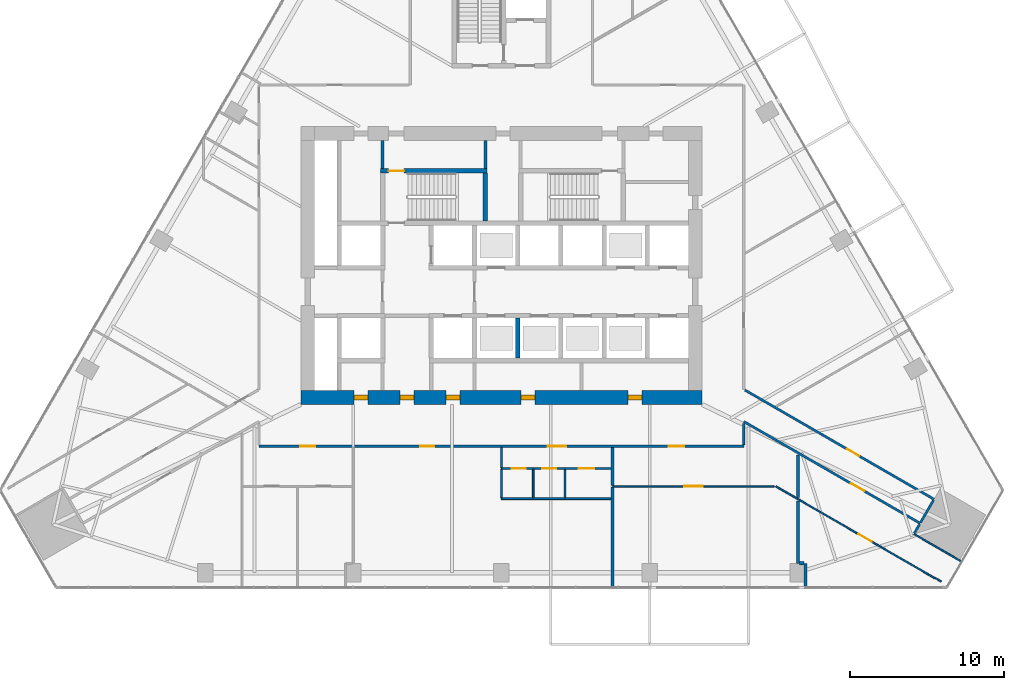
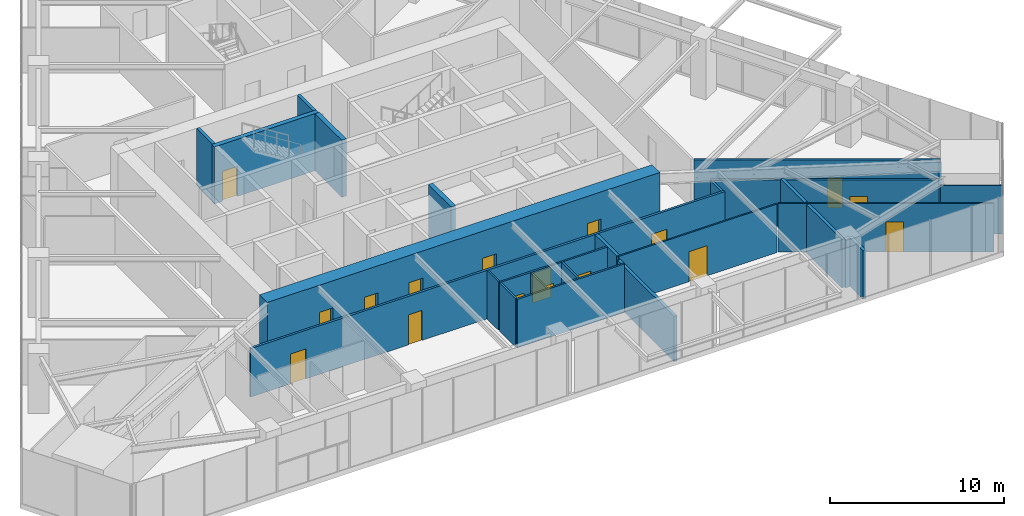
# One storey, part 24 of 29: 28 walls, 17 doors, 17 openings.
"""IFC4 building model written with IfcOpenShell, lengths in metres."""

from ifc_helpers import new_model, si_unit, direction, frame, frame_2d, origin, place, context, subcontext, project, spatial, rectangle, extrude, material, layer, layer_set, type_object, element, fill, save


model = new_model("IFC4")

# Units and contexts
model_context = context("Model", 3, precision=1e-05, world=origin(), true_north=direction((0.0, 1.0)))
body_context = subcontext(model_context, "Body", "Model", "MODEL_VIEW")
ifc_project = project(units=[si_unit("LENGTHUNIT", "METRE"), si_unit("AREAUNIT", "SQUARE_METRE"), si_unit("VOLUMEUNIT", "CUBIC_METRE"), si_unit("PLANEANGLEUNIT", "RADIAN"), si_unit("MASSUNIT", "GRAM", prefix="KILO")], contexts=[model_context])

# Site, building, storey
site_placement = place(None, origin())
site = spatial("IfcSite", under=ifc_project, at=site_placement, CompositionType="ELEMENT")
building_placement = place(site_placement, origin())
building = spatial("IfcBuilding", under=site, at=building_placement, Name="Firuza Gate Tower and Library", CompositionType="ELEMENT")
storey_placement = place(building_placement, frame((0.0, 0.0, 44.199951171875)))
storey = spatial("IfcBuildingStorey", under=building, at=storey_placement, Name="L09", CompositionType="ELEMENT", Elevation=44.199951171875)

# Walls
ifc_material_1 = material(Name="Plasterboard on steel studs", Category="steel")
ifc_layer_1 = layer(ifc_material_1, 0.199951171875)
ifc_layer_set_1 = layer_set([ifc_layer_1], Name="Core partition 200 EI 60")
wall_type_1 = type_object("IfcWallType", Name="Core partition 200 EI 60", PredefinedType="PARTITIONING", material=ifc_layer_set_1)
for number, where, z_axis, x_axis, name in (
    (1, (67.300048828125, 81.280029296875, 0.0), (0.0, 0.0, 1.0), (0.0, 1.0, 0.0), "Core partition L09 9"),
    (2, (73.9599609375, 81.280029296875, 0.0), (0.0, 0.0, 1.0), (0.0, 1.0, 0.0), "Core partition L09 13"),
):
    element("IfcWall", number, at=place(storey_placement, frame(where, z_axis=z_axis, x_axis=x_axis)), inside=storey, type_object=wall_type_1, Name=name, PredefinedType="PARTITIONING", context=body_context, shape_type="SweptSolid", body=[
        extrude(rectangle(XDim=1.820068359375, YDim=0.199951171875, at=frame_2d((0.91015625, 0.0))), origin(), (0.0, 0.0, 1.0), 4.0),
    ])
ifc_material_2 = material(Name="Concrete C80/95", Category="concrete")
ifc_layer_2 = layer(ifc_material_2, 0.300048828125)
ifc_layer_set_2 = layer_set([ifc_layer_2], Name="Core wall 300 C80/95")
wall_type_2 = type_object("IfcWallType", Name="Core wall 300 C80/95", PredefinedType="SHEAR", material=ifc_layer_set_2)
wall_1_placement = place(storey_placement, frame((76.050048828125, 69.0, 0.0), z_axis=(0.0, 0.0, 1.0), x_axis=(0.0, 1.0, 0.0)))
element("IfcWall", 3, at=wall_1_placement, inside=storey, type_object=wall_type_2, Name="Core wall L09 19", PredefinedType="SHEAR", context=body_context, shape_type="SweptSolid", body=[
    extrude(rectangle(XDim=2.60009765625, YDim=0.300048828125, at=frame_2d((1.300048828125, 0.0))), origin(), (0.0, 0.0, 1.0), 4.0),
])

# Wall, opening, door
wall_2_placement = place(storey_placement, frame((67.14990234375, 81.1298828125, 0.0), z_axis=(0.0, 0.0, 1.0), x_axis=(1.0, 0.0, 0.0)))
wall_2 = element("IfcWall", 4, at=wall_2_placement, inside=storey, type_object=wall_type_2, Name="Core wall L09 28", PredefinedType="SHEAR", context=body_context, shape_type="SweptSolid", body=[
    extrude(rectangle(XDim=6.91015625, YDim=0.300048828125, at=frame_2d((3.455078125, 0.0))), origin(), (0.0, 0.0, 1.0), 4.0),
])
opening_1_placement = place(wall_2_placement, frame((0.544921875, 0.0, 0.0)))
opening_1 = element("IfcOpeningElement", 5, at=opening_1_placement, cuts=wall_2, Name="Opening L09-K13", PredefinedType="OPENING", context=body_context, shape_type="SweptSolid", body=[
    extrude(rectangle(XDim=1.0, YDim=2.10009765625, at=frame_2d((0.5, 1.050048828125))), frame((0.0, 0.16015625, 0.0), z_axis=(0.0, -1.0, 0.0), x_axis=(1.0, 0.0, 0.0)), (0.0, 0.0, 1.0), 0.320068359375),
])
ifc_material_3 = material(Name="Steel", Category="steel")
door_type_1 = type_object("IfcDoorType", Name="Fire door 1000x2100 FD90", OperationType="NOTDEFINED", PredefinedType="DOOR", material=ifc_material_3)
door_1_placement = place(opening_1_placement, origin())
door_1 = element("IfcDoor", 6, at=door_1_placement, inside=storey, type_object=door_type_1, Name="Door L09-K13", OperationType="SINGLE_SWING_RIGHT", OverallHeight=2.10009765625, OverallWidth=1.0, PredefinedType="DOOR", context=body_context, shape_type="SweptSolid", body=[
    extrude(rectangle(XDim=1.0, YDim=2.10009765625, at=frame_2d((0.5, 1.050048828125))), frame((0.0, 0.02490234375, 0.0), z_axis=(0.0, -1.0, 0.0), x_axis=(1.0, 0.0, 0.0)), (0.0, 0.0, 1.0), 0.050048828125),
])
fill(opening_1, door_1)

# Wall
wall_3_placement = place(storey_placement, frame((73.9599609375, 77.89990234375, 0.0), z_axis=(0.0, 0.0, 1.0), x_axis=(0.0, 1.0, 0.0)))
element("IfcWall", 7, at=wall_3_placement, inside=storey, type_object=wall_type_2, Name="Core wall L09 31", PredefinedType="SHEAR", context=body_context, shape_type="SweptSolid", body=[
    extrude(rectangle(XDim=3.080078125, YDim=0.300048828125, at=frame_2d((1.5400390625, 0.0))), origin(), (0.0, 0.0, 1.0), 4.0),
])

# Wall, openings, doors
ifc_material_4 = material(Name="Concrete C80/95", Category="concrete")
ifc_layer_3 = layer(ifc_material_4, 0.89990234375)
ifc_layer_set_3 = layer_set([ifc_layer_3], Name="Core wall 900 C80/95")
wall_type_3 = type_object("IfcWallType", Name="Core wall 900 C80/95", PredefinedType="SHEAR", material=ifc_layer_set_3)
wall_4_placement = place(storey_placement, frame((62.0, 66.449951171875, 0.0), z_axis=(0.0, 0.0, 1.0), x_axis=(1.0, 0.0, 0.0)))
wall_4 = element("IfcWall", 8, at=wall_4_placement, inside=storey, type_object=wall_type_3, Name="Core wall L09 1", PredefinedType="SHEAR", context=body_context, shape_type="SweptSolid", body=[
    extrude(rectangle(XDim=26.0, YDim=0.89990234375, at=frame_2d((13.0, 0.0))), origin(), (0.0, 0.0, 1.0), 4.0),
])
opening_2_placement = place(wall_4_placement, frame((3.449951171875, 0.0, 0.0)))
opening_2 = element("IfcOpeningElement", 9, at=opening_2_placement, cuts=wall_4, Name="Opening L09-K24", PredefinedType="OPENING", context=body_context, shape_type="SweptSolid", body=[
    extrude(rectangle(XDim=0.89990234375, YDim=2.10009765625, at=frame_2d((0.449951171875, 1.050048828125))), frame((0.0, 0.4599609375, 0.0), z_axis=(0.0, -1.0, 0.0), x_axis=(1.0, 0.0, 0.0)), (0.0, 0.0, 1.0), 0.919921875),
])
opening_3_placement = place(wall_4_placement, frame((6.425048828125, 0.0, 0.0)))
opening_3 = element("IfcOpeningElement", 10, at=opening_3_placement, cuts=wall_4, Name="Opening L09-K25", PredefinedType="OPENING", context=body_context, shape_type="SweptSolid", body=[
    extrude(rectangle(XDim=0.89990234375, YDim=2.10009765625, at=frame_2d((0.449951171875, 1.050048828125))), frame((0.0, 0.4599609375, 0.0), z_axis=(0.0, -1.0, 0.0), x_axis=(1.0, 0.0, 0.0)), (0.0, 0.0, 1.0), 0.919921875),
])
opening_4_placement = place(wall_4_placement, frame((9.39990234375, 0.0, 0.0)))
opening_4 = element("IfcOpeningElement", 11, at=opening_4_placement, cuts=wall_4, Name="Opening L09-K26", PredefinedType="OPENING", context=body_context, shape_type="SweptSolid", body=[
    extrude(rectangle(XDim=0.89990234375, YDim=2.10009765625, at=frame_2d((0.449951171875, 1.050048828125))), frame((0.0, 0.4599609375, 0.0), z_axis=(0.0, -1.0, 0.0), x_axis=(1.0, 0.0, 0.0)), (0.0, 0.0, 1.0), 0.919921875),
])
opening_5_placement = place(wall_4_placement, frame((14.262451171875, 0.0, 0.0)))
opening_5 = element("IfcOpeningElement", 12, at=opening_5_placement, cuts=wall_4, Name="Opening L09-K27", PredefinedType="OPENING", context=body_context, shape_type="SweptSolid", body=[
    extrude(rectangle(XDim=0.89990234375, YDim=2.10009765625, at=frame_2d((0.449951171875, 1.050048828125))), frame((0.0, 0.4599609375, 0.0), z_axis=(0.0, -1.0, 0.0), x_axis=(1.0, 0.0, 0.0)), (0.0, 0.0, 1.0), 0.919921875),
])
opening_6_placement = place(wall_4_placement, frame((21.1875, 0.0, 0.0)))
opening_6 = element("IfcOpeningElement", 13, at=opening_6_placement, cuts=wall_4, Name="Opening L09-K28", PredefinedType="OPENING", context=body_context, shape_type="SweptSolid", body=[
    extrude(rectangle(XDim=0.89990234375, YDim=2.10009765625, at=frame_2d((0.449951171875, 1.050048828125))), frame((0.0, 0.4599609375, 0.0), z_axis=(0.0, -1.0, 0.0), x_axis=(1.0, 0.0, 0.0)), (0.0, 0.0, 1.0), 0.919921875),
])
ifc_material_5 = material(Name="Steel", Category="steel")
door_type_2 = type_object("IfcDoorType", Name="Fire door 900x2100 FD30S", OperationType="NOTDEFINED", PredefinedType="DOOR", material=ifc_material_5)
door_2_placement = place(opening_2_placement, origin())
door_2 = element("IfcDoor", 14, at=door_2_placement, inside=storey, type_object=door_type_2, Name="Door L09-K24", OperationType="SINGLE_SWING_LEFT", OverallHeight=2.10009765625, OverallWidth=0.89990234375, PredefinedType="DOOR", context=body_context, shape_type="SweptSolid", body=[
    extrude(rectangle(XDim=0.89990234375, YDim=2.10009765625, at=frame_2d((0.449951171875, 1.050048828125))), frame((0.0, 0.169921875, 0.0), z_axis=(0.0, -1.0, 0.0), x_axis=(1.0, 0.0, 0.0)), (0.0, 0.0, 1.0), 0.33984375),
])
fill(opening_2, door_2)
door_3_placement = place(opening_3_placement, origin())
door_3 = element("IfcDoor", 15, at=door_3_placement, inside=storey, type_object=door_type_2, Name="Door L09-K25", OperationType="SINGLE_SWING_RIGHT", OverallHeight=2.10009765625, OverallWidth=0.89990234375, PredefinedType="DOOR", context=body_context, shape_type="SweptSolid", body=[
    extrude(rectangle(XDim=0.89990234375, YDim=2.10009765625, at=frame_2d((0.449951171875, 1.050048828125))), frame((0.0, 0.169921875, 0.0), z_axis=(0.0, -1.0, 0.0), x_axis=(1.0, 0.0, 0.0)), (0.0, 0.0, 1.0), 0.33984375),
])
fill(opening_3, door_3)
door_4_placement = place(opening_4_placement, origin())
door_4 = element("IfcDoor", 16, at=door_4_placement, inside=storey, type_object=door_type_2, Name="Door L09-K26", OperationType="SINGLE_SWING_LEFT", OverallHeight=2.10009765625, OverallWidth=0.89990234375, PredefinedType="DOOR", context=body_context, shape_type="SweptSolid", body=[
    extrude(rectangle(XDim=0.89990234375, YDim=2.10009765625, at=frame_2d((0.449951171875, 1.050048828125))), frame((0.0, 0.169921875, 0.0), z_axis=(0.0, -1.0, 0.0), x_axis=(1.0, 0.0, 0.0)), (0.0, 0.0, 1.0), 0.33984375),
])
fill(opening_4, door_4)
door_5_placement = place(opening_5_placement, origin())
door_5 = element("IfcDoor", 17, at=door_5_placement, inside=storey, type_object=door_type_2, Name="Door L09-K27", OperationType="SINGLE_SWING_RIGHT", OverallHeight=2.10009765625, OverallWidth=0.89990234375, PredefinedType="DOOR", context=body_context, shape_type="SweptSolid", body=[
    extrude(rectangle(XDim=0.89990234375, YDim=2.10009765625, at=frame_2d((0.449951171875, 1.050048828125))), frame((0.0, 0.169921875, 0.0), z_axis=(0.0, -1.0, 0.0), x_axis=(1.0, 0.0, 0.0)), (0.0, 0.0, 1.0), 0.33984375),
])
fill(opening_5, door_5)
door_6_placement = place(opening_6_placement, origin())
door_6 = element("IfcDoor", 18, at=door_6_placement, inside=storey, type_object=door_type_2, Name="Door L09-K28", OperationType="SINGLE_SWING_LEFT", OverallHeight=2.10009765625, OverallWidth=0.89990234375, PredefinedType="DOOR", context=body_context, shape_type="SweptSolid", body=[
    extrude(rectangle(XDim=0.89990234375, YDim=2.10009765625, at=frame_2d((0.449951171875, 1.050048828125))), frame((0.0, 0.169921875, 0.0), z_axis=(0.0, -1.0, 0.0), x_axis=(1.0, 0.0, 0.0)), (0.0, 0.0, 1.0), 0.33984375),
])
fill(opening_6, door_6)

ifc_material_6 = material(Name="Gypsum board partition")
ifc_layer_4 = layer(ifc_material_6, 0.14990234375)
ifc_layer_set_4 = layer_set([ifc_layer_4], Name="Corridor wall 150 double board on steel studs")
wall_type_4 = type_object("IfcWallType", Name="Corridor wall 150 double board on steel studs", PredefinedType="PARTITIONING", material=ifc_layer_set_4)
wall_5_placement = place(storey_placement, frame((90.699951171875, 63.300048828125, 0.0), z_axis=(0.0, 0.0, 1.0), x_axis=(-1.0, 0.0, 0.0)))
wall_5 = element("IfcWall", 19, at=wall_5_placement, inside=storey, type_object=wall_type_4, Name="f:L09:w006", PredefinedType="PARTITIONING", context=body_context, shape_type="SweptSolid", body=[
    extrude(rectangle(XDim=31.39990234375, YDim=0.14990234375, at=frame_2d((15.699951171875, 0.0))), origin(), (0.0, 0.0, 1.0), 3.400146484375),
])
opening_7_placement = place(wall_5_placement, frame((3.8515625, 0.0, 0.0)))
opening_7 = element("IfcOpeningElement", 20, at=opening_7_placement, cuts=wall_5, Name="Opening L09-07", PredefinedType="OPENING", context=body_context, shape_type="SweptSolid", body=[
    extrude(rectangle(XDim=1.0, YDim=2.10009765625, at=frame_2d((0.5, 1.050048828125))), frame((0.0, 0.0849609375, 0.0), z_axis=(0.0, -1.0, 0.0), x_axis=(1.0, 0.0, 0.0)), (0.0, 0.0, 1.0), 0.169921875),
])
opening_8_placement = place(wall_5_placement, frame((11.5, 0.0, 0.0)))
opening_8 = element("IfcOpeningElement", 21, at=opening_8_placement, cuts=wall_5, Name="Opening L09-08", PredefinedType="OPENING", context=body_context, shape_type="SweptSolid", body=[
    extrude(rectangle(XDim=1.199951171875, YDim=2.10009765625, at=frame_2d((0.60009765625, 1.050048828125))), frame((0.0, 0.0849609375, 0.0), z_axis=(0.0, -1.0, 0.0), x_axis=(1.0, 0.0, 0.0)), (0.0, 0.0, 1.0), 0.169921875),
])
opening_9_placement = place(wall_5_placement, frame((20.050048828125, 0.0, 0.0)))
opening_9 = element("IfcOpeningElement", 22, at=opening_9_placement, cuts=wall_5, Name="Opening L09-09", PredefinedType="OPENING", context=body_context, shape_type="SweptSolid", body=[
    extrude(rectangle(XDim=0.89990234375, YDim=2.10009765625, at=frame_2d((0.449951171875, 1.050048828125))), frame((0.0, 0.0849609375, 0.0), z_axis=(0.0, -1.0, 0.0), x_axis=(1.0, 0.0, 0.0)), (0.0, 0.0, 1.0), 0.169921875),
])
opening_10_placement = place(wall_5_placement, frame((27.74853515625, 0.0, 0.0)))
opening_10 = element("IfcOpeningElement", 23, at=opening_10_placement, cuts=wall_5, Name="Opening L09-10", PredefinedType="OPENING", context=body_context, shape_type="SweptSolid", body=[
    extrude(rectangle(XDim=1.0, YDim=2.10009765625, at=frame_2d((0.5, 1.050048828125))), frame((0.0, 0.0849609375, 0.0), z_axis=(0.0, -1.0, 0.0), x_axis=(1.0, 0.0, 0.0)), (0.0, 0.0, 1.0), 0.169921875),
])
ifc_material_7 = material(Name="Steel door and timber leaf", Category="steel")
door_type_3 = type_object("IfcDoorType", Name="Fire door 1000 x 2100 steel frame, timber leaf", OperationType="NOTDEFINED", PredefinedType="DOOR", material=ifc_material_7)
door_7_placement = place(opening_7_placement, origin())
door_7 = element("IfcDoor", 24, at=door_7_placement, inside=storey, type_object=door_type_3, Name="f:L09:d007", OperationType="SINGLE_SWING_RIGHT", OverallHeight=2.10009765625, OverallWidth=1.0, PredefinedType="DOOR", context=body_context, shape_type="SweptSolid", body=[
    extrude(rectangle(XDim=1.0, YDim=2.10009765625, at=frame_2d((0.5, 1.050048828125))), frame((0.0, 0.02490234375, 0.0), z_axis=(0.0, -1.0, 0.0), x_axis=(1.0, 0.0, 0.0)), (0.0, 0.0, 1.0), 0.050048828125),
])
fill(opening_7, door_7)
door_8_placement = place(opening_10_placement, origin())
door_8 = element("IfcDoor", 25, at=door_8_placement, inside=storey, type_object=door_type_3, Name="f:L09:d010", OperationType="SINGLE_SWING_LEFT", OverallHeight=2.10009765625, OverallWidth=1.0, PredefinedType="DOOR", context=body_context, shape_type="SweptSolid", body=[
    extrude(rectangle(XDim=1.0, YDim=2.10009765625, at=frame_2d((0.5, 1.050048828125))), frame((0.0, 0.02490234375, 0.0), z_axis=(0.0, -1.0, 0.0), x_axis=(1.0, 0.0, 0.0)), (0.0, 0.0, 1.0), 0.050048828125),
])
fill(opening_10, door_8)
ifc_material_8 = material(Name="Steel door and timber leaf", Category="steel")
door_type_4 = type_object("IfcDoorType", Name="Fire door 1200 x 2100 steel frame, double leaf", OperationType="NOTDEFINED", PredefinedType="DOOR", material=ifc_material_8)
door_9_placement = place(opening_8_placement, origin())
door_9 = element("IfcDoor", 26, at=door_9_placement, inside=storey, type_object=door_type_4, Name="f:L09:d008", OperationType="DOUBLE_DOOR_SINGLE_SWING", OverallHeight=2.10009765625, OverallWidth=1.199951171875, PredefinedType="DOOR", context=body_context, shape_type="SweptSolid", body=[
    extrude(rectangle(XDim=1.199951171875, YDim=2.10009765625, at=frame_2d((0.60009765625, 1.050048828125))), frame((0.0, 0.02490234375, 0.0), z_axis=(0.0, -1.0, 0.0), x_axis=(1.0, 0.0, 0.0)), (0.0, 0.0, 1.0), 0.050048828125),
])
fill(opening_8, door_9)
ifc_material_9 = material(Name="Steel door and timber leaf", Category="steel")
door_type_5 = type_object("IfcDoorType", Name="Fire door 900 x 2100 steel frame, timber leaf", OperationType="NOTDEFINED", PredefinedType="DOOR", material=ifc_material_9)
door_10_placement = place(opening_9_placement, origin())
door_10 = element("IfcDoor", 27, at=door_10_placement, inside=storey, type_object=door_type_5, Name="f:L09:d009", OperationType="SINGLE_SWING_RIGHT", OverallHeight=2.10009765625, OverallWidth=0.89990234375, PredefinedType="DOOR", context=body_context, shape_type="SweptSolid", body=[
    extrude(rectangle(XDim=0.89990234375, YDim=2.10009765625, at=frame_2d((0.449951171875, 1.050048828125))), frame((0.0, 0.02490234375, 0.0), z_axis=(0.0, -1.0, 0.0), x_axis=(1.0, 0.0, 0.0)), (0.0, 0.0, 1.0), 0.050048828125),
])
fill(opening_9, door_10)

# Walls
wall_6_placement = place(storey_placement, frame((101.744384765625, 57.654541015625, 0.0), z_axis=(0.0, 0.0, 1.0), x_axis=(0.500108776725, 0.865962592404, 0.0)))
element("IfcWall", 28, at=wall_6_placement, inside=storey, type_object=wall_type_4, Name="f:L09:w026", PredefinedType="PARTITIONING", context=body_context, shape_type="SweptSolid", body=[
    extrude(rectangle(XDim=0.674560546875, YDim=0.14990234375, at=frame_2d((0.33740234375, 0.0))), origin(), (0.0, 0.0, 1.0), 3.400146484375),
])
wall_7_placement = place(storey_placement, frame((90.699951171875, 63.375, 0.0), z_axis=(0.0, 0.0, 1.0), x_axis=(0.0, 1.0, 0.0)))
element("IfcWall", 29, at=wall_7_placement, inside=storey, type_object=wall_type_4, Name="f:L09:w030", PredefinedType="PARTITIONING", context=body_context, shape_type="SweptSolid", body=[
    extrude(rectangle(XDim=1.384765625, YDim=0.14990234375, at=frame_2d((0.6923828125, 0.0))), origin(), (0.0, 0.0, 1.0), 3.2470703125),
])

# Wall, opening, door
wall_8_placement = place(storey_placement, frame((90.775146484375, 66.931640625, 0.0), z_axis=(0.0, 0.0, 1.0), x_axis=(0.86602195393, -0.500005975275, 0.0)))
wall_8 = element("IfcWall", 30, at=wall_8_placement, inside=storey, type_object=wall_type_4, Name="f:L09:w056", PredefinedType="PARTITIONING", context=body_context, shape_type="SweptSolid", body=[
    extrude(rectangle(XDim=14.137451171875, YDim=0.14990234375, at=frame_2d((7.06884765625, 0.0))), origin(), (0.0, 0.0, 1.0), 3.400146484375),
])
opening_11_placement = place(wall_8_placement, frame((7.628662109375, 0.0, 0.0)))
opening_11 = element("IfcOpeningElement", 31, at=opening_11_placement, cuts=wall_8, Name="Opening L09-28", PredefinedType="OPENING", context=body_context, shape_type="SweptSolid", body=[
    extrude(rectangle(XDim=0.89990234375, YDim=2.10009765625, at=frame_2d((0.449951171875, 1.050048828125))), frame((0.0, 0.0849609375, 0.0), z_axis=(0.0, -1.0, 0.0), x_axis=(1.0, 0.0, 0.0)), (0.0, 0.0, 1.0), 0.169921875),
])
door_11_placement = place(opening_11_placement, origin())
door_11 = element("IfcDoor", 32, at=door_11_placement, inside=storey, type_object=door_type_5, Name="f:L09:d028", OperationType="SINGLE_SWING_LEFT", OverallHeight=2.10009765625, OverallWidth=0.89990234375, PredefinedType="DOOR", context=body_context, shape_type="SweptSolid", body=[
    extrude(rectangle(XDim=0.89990234375, YDim=2.10009765625, at=frame_2d((0.449951171875, 1.050048828125))), frame((0.0, 0.02490234375, 0.0), z_axis=(0.0, -1.0, 0.0), x_axis=(1.0, 0.0, 0.0)), (0.0, 0.0, 1.0), 0.050048828125),
])
fill(opening_11, door_11)

wall_9_placement = place(storey_placement, frame((102.118408203125, 58.303955078125, 0.0), z_axis=(0.0, 0.0, 1.0), x_axis=(-0.866022774611, 0.500004553834, 0.0)))
wall_9 = element("IfcWall", 33, at=wall_9_placement, inside=storey, type_object=wall_type_4, Name="f:L09:w059", PredefinedType="PARTITIONING", context=body_context, shape_type="SweptSolid", body=[
    extrude(rectangle(XDim=13.18505859375, YDim=0.14990234375, at=frame_2d((6.592529296875, 0.0))), origin(), (0.0, 0.0, 1.0), 3.2470703125),
])
opening_12_placement = place(wall_9_placement, frame((4.17333984375, 0.0, 0.0)))
opening_12 = element("IfcOpeningElement", 34, at=opening_12_placement, cuts=wall_9, Name="Opening L09-29", PredefinedType="OPENING", context=body_context, shape_type="SweptSolid", body=[
    extrude(rectangle(XDim=1.0, YDim=2.10009765625, at=frame_2d((0.5, 1.050048828125))), frame((0.0, 0.0849609375, 0.0), z_axis=(0.0, -1.0, 0.0), x_axis=(1.0, 0.0, 0.0)), (0.0, 0.0, 1.0), 0.169921875),
])
door_12_placement = place(opening_12_placement, origin())
door_12 = element("IfcDoor", 35, at=door_12_placement, inside=storey, type_object=door_type_3, Name="f:L09:d029", OperationType="SINGLE_SWING_LEFT", OverallHeight=2.10009765625, OverallWidth=1.0, PredefinedType="DOOR", context=body_context, shape_type="SweptSolid", body=[
    extrude(rectangle(XDim=1.0, YDim=2.10009765625, at=frame_2d((0.5, 1.050048828125))), frame((0.0, 0.02490234375, 0.0), z_axis=(0.0, -1.0, 0.0), x_axis=(1.0, 0.0, 0.0)), (0.0, 0.0, 1.0), 0.050048828125),
])
fill(opening_12, door_12)

# Walls
wall_10_placement = place(storey_placement, frame((102.15673828125, 58.36865234375, 0.0), z_axis=(0.0, 0.0, 1.0), x_axis=(0.500055614084, 0.865993292597, 0.0)))
element("IfcWall", 36, at=wall_10_placement, inside=storey, type_object=wall_type_4, Name="f:L09:w072", PredefinedType="PARTITIONING", context=body_context, shape_type="SweptSolid", body=[
    extrude(rectangle(XDim=1.649169921875, YDim=0.14990234375, at=frame_2d((0.82470703125, 0.0))), origin(), (0.0, 0.0, 1.0), 3.2470703125),
])
ifc_material_10 = material(Name="Gypsum board partition")
ifc_layer_5 = layer(ifc_material_10, 0.199951171875)
ifc_layer_set_5 = layer_set([ifc_layer_5], Name="Demising wall 200 acoustic double stud")
wall_type_5 = type_object("IfcWallType", Name="Demising wall 200 acoustic double stud", PredefinedType="PARTITIONING", material=ifc_layer_set_5)
wall_11_placement = place(storey_placement, frame((94.300048828125, 55.715087890625, 0.0), z_axis=(0.0, 0.0, 1.0), x_axis=(1.0, 0.0, 0.0)))
element("IfcWall", 37, at=wall_11_placement, inside=storey, type_object=wall_type_5, Name="f:L09:w001", PredefinedType="PARTITIONING", context=body_context, shape_type="SweptSolid", body=[
    extrude(rectangle(XDim=0.299560546875, YDim=0.199951171875, at=frame_2d((0.14990234375, 0.0))), origin(), (0.0, 0.0, 1.0), 3.400146484375),
])
wall_12_placement = place(storey_placement, frame((94.699951171875, 54.1552734375, 0.0), z_axis=(0.0, 0.0, 1.0), x_axis=(0.0, 1.0, 0.0)))
element("IfcWall", 38, at=wall_12_placement, inside=storey, type_object=wall_type_5, Name="f:L09:w028", PredefinedType="PARTITIONING", context=body_context, shape_type="SweptSolid", body=[
    extrude(rectangle(XDim=1.5595703125, YDim=0.199951171875, at=frame_2d((0.77978515625, 0.0))), origin(), (0.0, 0.0, 1.0), 3.400146484375),
])
wall_13_placement = place(storey_placement, frame((94.199951171875, 55.71533203125, 0.0), z_axis=(0.0, 0.0, 1.0), x_axis=(0.0, 1.0, 0.0)))
element("IfcWall", 39, at=wall_13_placement, inside=storey, type_object=wall_type_5, Name="f:L09:w029", PredefinedType="PARTITIONING", context=body_context, shape_type="SweptSolid", body=[
    extrude(rectangle(XDim=4.042724609375, YDim=0.199951171875, at=frame_2d((2.021484375, 0.0))), origin(), (0.0, 0.0, 1.0), 3.400146484375),
])
wall_14_placement = place(storey_placement, frame((82.199951171875, 54.1552734375, 0.0), z_axis=(0.0, 0.0, 1.0), x_axis=(0.0, 1.0, 0.0)))
element("IfcWall", 40, at=wall_14_placement, inside=storey, type_object=wall_type_5, Name="f:L09:w033", PredefinedType="PARTITIONING", context=body_context, shape_type="SweptSolid", body=[
    extrude(rectangle(XDim=6.49462890625, YDim=0.199951171875, at=frame_2d((3.247314453125, 0.0))), origin(), (0.0, 0.0, 1.0), 3.1650390625),
])
wall_15_placement = place(storey_placement, frame((82.199951171875, 60.75, 0.0), z_axis=(0.0, 0.0, 1.0), x_axis=(0.0, 1.0, 0.0)))
element("IfcWall", 41, at=wall_15_placement, inside=storey, type_object=wall_type_5, Name="f:L09:w066", PredefinedType="PARTITIONING", context=body_context, shape_type="SweptSolid", body=[
    extrude(rectangle(XDim=2.47509765625, YDim=0.199951171875, at=frame_2d((1.237548828125, 0.0))), origin(), (0.0, 0.0, 1.0), 3.400146484375),
])
wall_16_placement = place(storey_placement, frame((94.199951171875, 59.989013671875, 0.0), z_axis=(0.0, 0.0, 1.0), x_axis=(0.0, 1.0, 0.0)))
element("IfcWall", 42, at=wall_16_placement, inside=storey, type_object=wall_type_5, Name="f:L09:w073", PredefinedType="PARTITIONING", context=body_context, shape_type="SweptSolid", body=[
    extrude(rectangle(XDim=2.739990234375, YDim=0.199951171875, at=frame_2d((1.3701171875, 0.0))), origin(), (0.0, 0.0, 1.0), 3.400146484375),
])

# Wall, opening, door
ifc_material_11 = material(Name="Gypsum board partition")
ifc_layer_6 = layer(ifc_material_11, 0.10009765625)
ifc_layer_set_6 = layer_set([ifc_layer_6], Name="Partition 100 gypsum board on steel studs")
wall_type_6 = type_object("IfcWallType", Name="Partition 100 gypsum board on steel studs", PredefinedType="PARTITIONING", material=ifc_layer_set_6)
wall_17_placement = place(storey_placement, frame((82.199951171875, 60.699951171875, 0.0), z_axis=(0.0, 0.0, 1.0), x_axis=(1.0, 0.0, 0.0)))
wall_17 = element("IfcWall", 43, at=wall_17_placement, inside=storey, type_object=wall_type_6, Name="f:L09:w004", PredefinedType="PARTITIONING", context=body_context, shape_type="SweptSolid", body=[
    extrude(rectangle(XDim=10.46826171875, YDim=0.10009765625, at=frame_2d((5.234130859375, 0.0))), origin(), (0.0, 0.0, 1.0), 3.400146484375),
])
opening_13_placement = place(wall_17_placement, frame((4.63427734375, 0.0, 0.0)))
opening_13 = element("IfcOpeningElement", 44, at=opening_13_placement, cuts=wall_17, Name="Opening L09-03", PredefinedType="OPENING", context=body_context, shape_type="SweptSolid", body=[
    extrude(rectangle(XDim=1.199951171875, YDim=2.10009765625, at=frame_2d((0.60009765625, 1.050048828125))), frame((0.0, 0.06005859375, 0.0), z_axis=(0.0, -1.0, 0.0), x_axis=(1.0, 0.0, 0.0)), (0.0, 0.0, 1.0), 0.1201171875),
])
ifc_material_12 = material(Name="Glazed aluminium door", Category="aluminium")
door_type_6 = type_object("IfcDoorType", Name="Door 1200 x 2100 glazed double leaf", OperationType="NOTDEFINED", PredefinedType="DOOR", material=ifc_material_12)
door_13_placement = place(opening_13_placement, origin())
door_13 = element("IfcDoor", 45, at=door_13_placement, inside=storey, type_object=door_type_6, Name="f:L09:d003", OperationType="DOUBLE_DOOR_SINGLE_SWING", OverallHeight=2.10009765625, OverallWidth=1.199951171875, PredefinedType="DOOR", context=body_context, shape_type="SweptSolid", body=[
    extrude(rectangle(XDim=1.199951171875, YDim=2.10009765625, at=frame_2d((0.60009765625, 1.050048828125))), frame((0.0, 0.02490234375, 0.0), z_axis=(0.0, -1.0, 0.0), x_axis=(1.0, 0.0, 0.0)), (0.0, 0.0, 1.0), 0.050048828125),
])
fill(opening_13, door_13)

# Walls
wall_18_placement = place(storey_placement, frame((104.802001953125, 55.830810546875, 0.0), z_axis=(0.0, 0.0, 1.0), x_axis=(-0.866014251095, 0.500019316528, 0.0)))
element("IfcWall", 46, at=wall_18_placement, inside=storey, type_object=wall_type_6, Name="f:L09:w060", PredefinedType="PARTITIONING", context=body_context, shape_type="SweptSolid", body=[
    extrude(rectangle(XDim=3.559326171875, YDim=0.10009765625, at=frame_2d((1.77978515625, 0.0))), origin(), (0.0, 0.0, 1.0), 3.400146484375),
])
wall_19_placement = place(storey_placement, frame((103.489990234375, 54.531982421875, 0.0), z_axis=(0.0, 0.0, 1.0), x_axis=(-0.866073792734, 0.499916178513, 0.0)))
element("IfcWall", 47, at=wall_19_placement, inside=storey, type_object=wall_type_6, Name="f:L09:w062", PredefinedType="PARTITIONING", context=body_context, shape_type="SweptSolid", body=[
    extrude(rectangle(XDim=0.47265625, YDim=0.10009765625, at=frame_2d((0.236328125, 0.0))), origin(), (0.0, 0.0, 1.0), 3.400146484375),
])

# Wall, opening, door
wall_20_placement = place(storey_placement, frame((92.768310546875, 60.7001953125, 0.0), z_axis=(0.0, 0.0, 1.0), x_axis=(0.866025640697, -0.499999589656, 0.0)))
wall_20 = element("IfcWall", 48, at=wall_20_placement, inside=storey, type_object=wall_type_6, Name="f:L09:w063", PredefinedType="PARTITIONING", context=body_context, shape_type="SweptSolid", body=[
    extrude(rectangle(XDim=11.89599609375, YDim=0.10009765625, at=frame_2d((5.947998046875, 0.0))), origin(), (0.0, 0.0, 1.0), 3.400146484375),
])
opening_14_placement = place(wall_20_placement, frame((6.174560546875, 0.0, 0.0)))
opening_14 = element("IfcOpeningElement", 49, at=opening_14_placement, cuts=wall_20, Name="Opening L09-30", PredefinedType="OPENING", context=body_context, shape_type="SweptSolid", body=[
    extrude(rectangle(XDim=1.0, YDim=2.10009765625, at=frame_2d((0.5, 1.050048828125))), frame((0.0, 0.06005859375, 0.0), z_axis=(0.0, -1.0, 0.0), x_axis=(1.0, 0.0, 0.0)), (0.0, 0.0, 1.0), 0.1201171875),
])
ifc_material_13 = material(Name="Timber door", Category="wood")
door_type_7 = type_object("IfcDoorType", Name="Door 1000 x 2100 timber leaf", OperationType="NOTDEFINED", PredefinedType="DOOR", material=ifc_material_13)
door_14_placement = place(opening_14_placement, origin())
door_14 = element("IfcDoor", 50, at=door_14_placement, inside=storey, type_object=door_type_7, Name="f:L09:d030", OperationType="SINGLE_SWING_LEFT", OverallHeight=2.10009765625, OverallWidth=1.0, PredefinedType="DOOR", context=body_context, shape_type="SweptSolid", body=[
    extrude(rectangle(XDim=1.0, YDim=2.10009765625, at=frame_2d((0.5, 1.050048828125))), frame((0.0, 0.02490234375, 0.0), z_axis=(0.0, -1.0, 0.0), x_axis=(1.0, 0.0, 0.0)), (0.0, 0.0, 1.0), 0.050048828125),
])
fill(opening_14, door_14)

# Wall
ifc_material_14 = material(Name="Gypsum board partition")
ifc_layer_7 = layer(ifc_material_14, 0.1201171875)
ifc_layer_set_7 = layer_set([ifc_layer_7], Name="Wet-area partition 120 moisture-resistant board")
wall_type_7 = type_object("IfcWallType", Name="Wet-area partition 120 moisture-resistant board", PredefinedType="PARTITIONING", material=ifc_layer_set_7)
wall_21_placement = place(storey_placement, frame((75.0, 59.89990234375, 0.0), z_axis=(0.0, 0.0, 1.0), x_axis=(1.0, 0.0, 0.0)))
element("IfcWall", 51, at=wall_21_placement, inside=storey, type_object=wall_type_7, Name="f:L09:w002", PredefinedType="PARTITIONING", context=body_context, shape_type="SweptSolid", body=[
    extrude(rectangle(XDim=7.10009765625, YDim=0.1201171875, at=frame_2d((3.550048828125, 0.0))), origin(), (0.0, 0.0, 1.0), 3.400146484375),
])

# Wall, openings, doors
wall_22_placement = place(storey_placement, frame((75.0, 61.85009765625, 0.0), z_axis=(0.0, 0.0, 1.0), x_axis=(1.0, 0.0, 0.0)))
wall_22 = element("IfcWall", 52, at=wall_22_placement, inside=storey, type_object=wall_type_7, Name="f:L09:w005", PredefinedType="PARTITIONING", context=body_context, shape_type="SweptSolid", body=[
    extrude(rectangle(XDim=7.10009765625, YDim=0.1201171875, at=frame_2d((3.550048828125, 0.0))), origin(), (0.0, 0.0, 1.0), 3.400146484375),
])
opening_15_placement = place(wall_22_placement, frame((0.68017578125, 0.0, 0.0)))
opening_15 = element("IfcOpeningElement", 53, at=opening_15_placement, cuts=wall_22, Name="Opening L09-04", PredefinedType="OPENING", context=body_context, shape_type="SweptSolid", body=[
    extrude(rectangle(XDim=0.89990234375, YDim=2.10009765625, at=frame_2d((0.449951171875, 1.050048828125))), frame((0.0, 0.070068359375, 0.0), z_axis=(0.0, -1.0, 0.0), x_axis=(1.0, 0.0, 0.0)), (0.0, 0.0, 1.0), 0.14013671875),
])
opening_16_placement = place(wall_22_placement, frame((2.6357421875, 0.0, 0.0)))
opening_16 = element("IfcOpeningElement", 54, at=opening_16_placement, cuts=wall_22, Name="Opening L09-05", PredefinedType="OPENING", context=body_context, shape_type="SweptSolid", body=[
    extrude(rectangle(XDim=0.89990234375, YDim=2.10009765625, at=frame_2d((0.449951171875, 1.050048828125))), frame((0.0, 0.070068359375, 0.0), z_axis=(0.0, -1.0, 0.0), x_axis=(1.0, 0.0, 0.0)), (0.0, 0.0, 1.0), 0.14013671875),
])
opening_17_placement = place(wall_22_placement, frame((5.005615234375, 0.0, 0.0)))
opening_17 = element("IfcOpeningElement", 55, at=opening_17_placement, cuts=wall_22, Name="Opening L09-06", PredefinedType="OPENING", context=body_context, shape_type="SweptSolid", body=[
    extrude(rectangle(XDim=1.0, YDim=2.10009765625, at=frame_2d((0.5, 1.050048828125))), frame((0.0, 0.070068359375, 0.0), z_axis=(0.0, -1.0, 0.0), x_axis=(1.0, 0.0, 0.0)), (0.0, 0.0, 1.0), 0.14013671875),
])
door_15_placement = place(opening_17_placement, origin())
door_15 = element("IfcDoor", 56, at=door_15_placement, inside=storey, type_object=door_type_7, Name="f:L09:d006", OperationType="SINGLE_SWING_LEFT", OverallHeight=2.10009765625, OverallWidth=1.0, PredefinedType="DOOR", context=body_context, shape_type="SweptSolid", body=[
    extrude(rectangle(XDim=1.0, YDim=2.10009765625, at=frame_2d((0.5, 1.050048828125))), frame((0.0, 0.02490234375, 0.0), z_axis=(0.0, -1.0, 0.0), x_axis=(1.0, 0.0, 0.0)), (0.0, 0.0, 1.0), 0.050048828125),
])
fill(opening_17, door_15)
ifc_material_15 = material(Name="Timber door", Category="wood")
door_type_8 = type_object("IfcDoorType", Name="Door 900 x 2100 timber leaf", OperationType="NOTDEFINED", PredefinedType="DOOR", material=ifc_material_15)
door_16_placement = place(opening_15_placement, origin())
door_16 = element("IfcDoor", 57, at=door_16_placement, inside=storey, type_object=door_type_8, Name="f:L09:d004", OperationType="SINGLE_SWING_LEFT", OverallHeight=2.10009765625, OverallWidth=0.89990234375, PredefinedType="DOOR", context=body_context, shape_type="SweptSolid", body=[
    extrude(rectangle(XDim=0.89990234375, YDim=2.10009765625, at=frame_2d((0.449951171875, 1.050048828125))), frame((0.0, 0.02490234375, 0.0), z_axis=(0.0, -1.0, 0.0), x_axis=(1.0, 0.0, 0.0)), (0.0, 0.0, 1.0), 0.050048828125),
])
fill(opening_15, door_16)
door_17_placement = place(opening_16_placement, origin())
door_17 = element("IfcDoor", 58, at=door_17_placement, inside=storey, type_object=door_type_8, Name="f:L09:d005", OperationType="SINGLE_SWING_RIGHT", OverallHeight=2.10009765625, OverallWidth=0.89990234375, PredefinedType="DOOR", context=body_context, shape_type="SweptSolid", body=[
    extrude(rectangle(XDim=0.89990234375, YDim=2.10009765625, at=frame_2d((0.449951171875, 1.050048828125))), frame((0.0, 0.02490234375, 0.0), z_axis=(0.0, -1.0, 0.0), x_axis=(1.0, 0.0, 0.0)), (0.0, 0.0, 1.0), 0.050048828125),
])
fill(opening_16, door_17)

# Walls
for number, where, z_axis, x_axis, name in (
    (59, (79.114013671875, 59.9599609375, 0.0), (0.0, 0.0, 1.0), (0.0, 1.0, 0.0), "f:L09:w036"),
    (60, (77.056884765625, 59.9599609375, 0.0), (0.0, 0.0, 1.0), (0.0, 1.0, 0.0), "f:L09:w039"),
    (61, (75.0, 59.9599609375, 0.0), (0.0, 0.0, 1.0), (0.0, 1.0, 0.0), "f:L09:w042"),
):
    element("IfcWall", number, at=place(storey_placement, frame(where, z_axis=z_axis, x_axis=x_axis)), inside=storey, type_object=wall_type_7, Name=name, PredefinedType="PARTITIONING", context=body_context, shape_type="SweptSolid", body=[
        extrude(rectangle(XDim=1.830078125, YDim=0.1201171875, at=frame_2d((0.9150390625, 0.0))), origin(), (0.0, 0.0, 1.0), 3.400146484375),
    ])
wall_23_placement = place(storey_placement, frame((75.0, 61.909912109375, 0.0), z_axis=(0.0, 0.0, 1.0), x_axis=(0.0, 1.0, 0.0)))
element("IfcWall", 62, at=wall_23_placement, inside=storey, type_object=wall_type_7, Name="f:L09:w067", PredefinedType="PARTITIONING", context=body_context, shape_type="SweptSolid", body=[
    extrude(rectangle(XDim=1.315185546875, YDim=0.1201171875, at=frame_2d((0.65771484375, 0.0))), origin(), (0.0, 0.0, 1.0), 3.400146484375),
])

save(model, "model.ifc")
